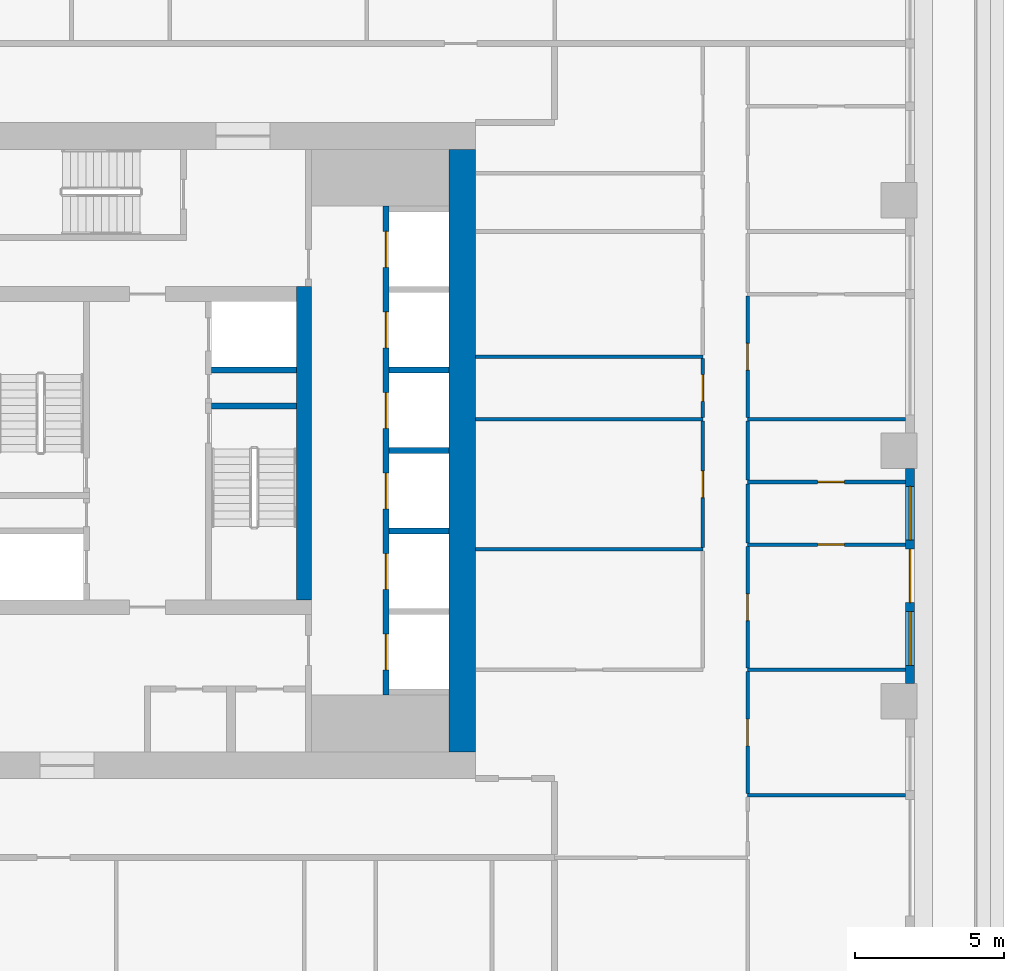
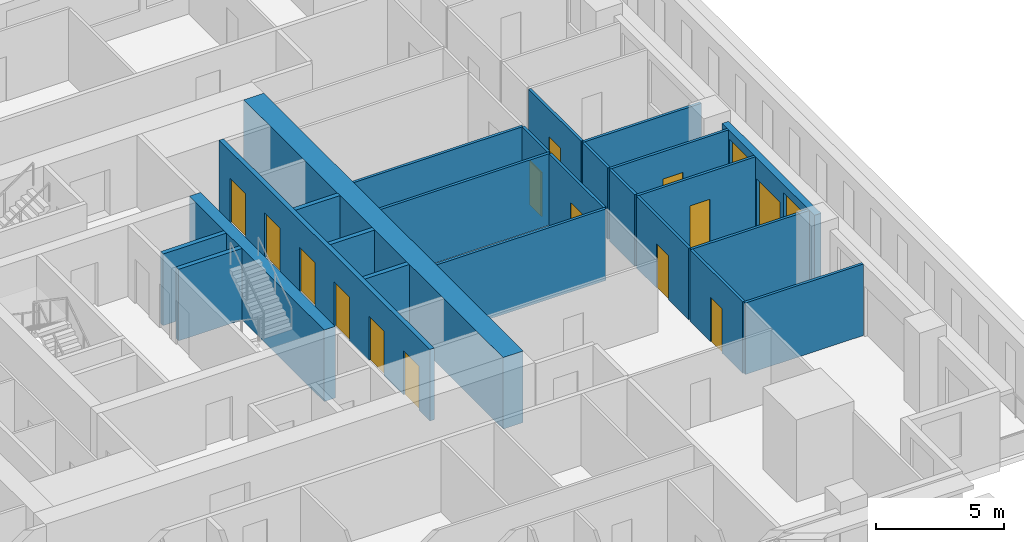
# One storey, part 6 of 16: 24 walls, 14 doors, 2 windows, 16 openings.
"""IFC4 building model written with IfcOpenShell, lengths in metres."""

import ifcopenshell
import ifcopenshell.guid

model = None  # the IFC model being written
_history = None  # IfcOwnerHistory: only IFC2X3 demands one
_inside = {}  # id of a spatial element -> (the spatial element, [elements in it])
_under = {}  # id of a project, library or spatial element -> (it, [spatial elements below it])
_declared = {}  # id of a project -> (the project, [libraries it declares])
_typed = {}  # id of a type object -> (the type object, [elements of that type])
_made_of = {}  # id of a material, layer set ... -> (it, [elements and type objects made of it])


def new_model(schema):
    """Start an empty IFC model of exactly this schema.

    Asked for "IFC4X3", IfcOpenShell would pick the latest addendum, in which some entities
    have other attributes; the version numbers below select the first issue.
    IFC2X3 requires an IfcOwnerHistory on every rooted entity: one is made here for all.
    """
    global model, _history
    if schema == "IFC4X3":
        model = ifcopenshell.file(schema_version=(4, 3, 0, 0))
    else:
        model = ifcopenshell.file(schema=schema)
    _inside.clear()
    _under.clear()
    _declared.clear()
    _typed.clear()
    _made_of.clear()
    _history = None
    if model.schema == "IFC2X3":
        org = make("IfcOrganization", Name="unknown")
        user = make(
            "IfcPersonAndOrganization",
            ThePerson=make("IfcPerson", FamilyName="unknown"),
            TheOrganization=org,
        )
        app = make(
            "IfcApplication",
            ApplicationDeveloper=org,
            Version="unknown",
            ApplicationFullName="unknown",
            ApplicationIdentifier="unknown",
        )
        _history = make(
            "IfcOwnerHistory",
            OwningUser=user,
            OwningApplication=app,
            ChangeAction="ADDED",
            CreationDate=0,
        )
    return model


def make(cls, **values):
    """One entity of the class cls with the attributes given. An attribute that is None is left unset."""
    return model.create_entity(
        cls, **{name: value for name, value in values.items() if value is not None}
    )


def rooted(cls, **values):
    """An entity with a GlobalId (a new one), such as an element, a storey or a relation."""
    return make(cls, GlobalId=ifcopenshell.guid.new(), OwnerHistory=_history, **values)


def si_unit(unit_type, name, prefix=None):
    """IfcSIUnit, for example si_unit("LENGTHUNIT", "METRE", prefix="MILLI")."""
    return make("IfcSIUnit", UnitType=unit_type, Prefix=prefix, Name=name)


def assignment(units):
    """IfcUnitAssignment: the units of a project."""
    return None if units is None else make("IfcUnitAssignment", Units=units)


def point(xyz):
    """IfcCartesianPoint."""
    return None if xyz is None else make("IfcCartesianPoint", Coordinates=xyz)


def direction(xyz):
    """IfcDirection."""
    return None if xyz is None else make("IfcDirection", DirectionRatios=xyz)


def frame(location, z_axis=None, x_axis=None):
    """IfcAxis2Placement3D, a coordinate frame: its origin and axes. An axis left out is left unset."""
    return make(
        "IfcAxis2Placement3D",
        Location=point(location),
        Axis=direction(z_axis),
        RefDirection=direction(x_axis),
    )


def frame_2d(location, x_axis=None):
    """IfcAxis2Placement2D, a coordinate frame in the plane: its origin and x axis."""
    return make(
        "IfcAxis2Placement2D", Location=point(location), RefDirection=direction(x_axis)
    )


def origin():
    """The frame at (0, 0, 0) with its axes left unset."""
    return frame((0.0, 0.0, 0.0))


def place(relative_to, where):
    """IfcLocalPlacement: puts the frame where relative to a parent placement (None: the world)."""
    return make(
        "IfcLocalPlacement", PlacementRelTo=relative_to, RelativePlacement=where
    )


def context(
    kind, dimensions, precision=None, world=None, true_north=None, identifier=None
):
    """IfcGeometricRepresentationContext, for example the 3D "Model" context."""
    return make(
        "IfcGeometricRepresentationContext",
        ContextIdentifier=identifier,
        ContextType=kind,
        CoordinateSpaceDimension=dimensions,
        Precision=precision,
        WorldCoordinateSystem=world,
        TrueNorth=true_north,
    )


def subcontext(parent, identifier, kind, view, scale=None):
    """IfcGeometricRepresentationSubContext, for example "Body" below "Model"."""
    return make(
        "IfcGeometricRepresentationSubContext",
        ContextIdentifier=identifier,
        ContextType=kind,
        ParentContext=parent,
        TargetScale=scale,
        TargetView=view,
    )


def project(units=None, contexts=None):
    """IfcProject with its units and contexts."""
    return rooted(
        "IfcProject",
        Name="project",
        RepresentationContexts=contexts,
        UnitsInContext=assignment(units),
    )


def spatial(cls, under=None, at=None, **own):
    """A site, building, storey or space (cls), placed at a placement, below another one or the project."""
    s = rooted(cls, ObjectPlacement=at, **own)
    if under is not None:
        _under.setdefault(under.id(), (under, []))[1].append(s)
    return s


def profile(cls, at=None, kind="AREA", **sizes):
    """A parametric profile (cls). Its sizes go by their IFC names, for example OverallWidth=200.0."""
    return make(cls, ProfileType=kind, Position=at, **sizes)


def rectangle(**sizes):
    """IfcRectangleProfileDef."""
    return profile("IfcRectangleProfileDef", **sizes)


def extrude(swept, where, along, depth):
    """IfcExtrudedAreaSolid: the profile swept, set in the frame where, extruded along a direction by depth."""
    return make(
        "IfcExtrudedAreaSolid",
        SweptArea=swept,
        Position=where,
        ExtrudedDirection=direction(along),
        Depth=depth,
    )


def shape(context_of_items, identifier, shape_type, items):
    """IfcShapeRepresentation: the items that make up one representation, for example the "Body"."""
    return make(
        "IfcShapeRepresentation",
        ContextOfItems=context_of_items,
        RepresentationIdentifier=identifier,
        RepresentationType=shape_type,
        Items=items,
    )


def material(Name=None, Category=None):
    """IfcMaterial."""
    return make("IfcMaterial", Name=Name, Category=Category)


def layer(
    of_material, thickness, ventilated=None, Name=None, Category=None, Priority=None
):
    """IfcMaterialLayer: one layer of a wall or slab, of a material (None: an air gap)."""
    return make(
        "IfcMaterialLayer",
        Material=of_material,
        LayerThickness=thickness,
        IsVentilated=ventilated,
        Name=Name,
        Category=Category,
        Priority=Priority,
    )


def layer_set(layers, Name=None):
    """IfcMaterialLayerSet."""
    return make("IfcMaterialLayerSet", MaterialLayers=layers, LayerSetName=Name)


def made_of(thing, what):
    """Note that an element or type object is made of a material, layer set ...; save() writes the relation."""
    if what is not None:
        _made_of.setdefault(what.id(), (what, []))[1].append(thing)
    return thing


def type_object(cls, material=None, **own):
    """A type object (cls), such as IfcWallType, which elements share."""
    return made_of(rooted(cls, **own), material)


def element(
    cls,
    number,
    at=None,
    inside=None,
    cuts=None,
    type_object=None,
    material=None,
    context=None,
    identifier="Body",
    shape_type=None,
    held_by="IfcProductDefinitionShape",
    body=None,
    shapes=None,
    **own,
):
    """One element of the class cls, such as IfcWall. Its Tag is "e" and its number.

    at: its placement. inside: the storey or other place that contains it. cuts: it is an
    opening in that element (IfcRelVoidsElement). A single representation is given by context,
    identifier, shape_type and body (its items); several are given by shapes. held_by: the class
    of the entity that holds the representations. save() writes the other relations.
    """
    e = rooted(cls, Tag="e%d" % number, ObjectPlacement=at, **own)
    if body is not None:
        shapes = [shape(context, identifier, shape_type, body)]
    if shapes is not None:
        e.Representation = make(held_by, Representations=shapes)
    if inside is not None:
        _inside.setdefault(inside.id(), (inside, []))[1].append(e)
    if cuts is not None:
        rooted(
            "IfcRelVoidsElement", RelatingBuildingElement=cuts, RelatedOpeningElement=e
        )
    if type_object is not None:
        _typed.setdefault(type_object.id(), (type_object, []))[1].append(e)
    return made_of(e, material)


def fill(opening, filler):
    """IfcRelFillsElement: the door or window that sits in an opening."""
    return rooted(
        "IfcRelFillsElement",
        RelatingOpeningElement=opening,
        RelatedBuildingElement=filler,
    )


def aggregate(whole, parts):
    """IfcRelAggregates: a whole, such as a stair, and the parts it consists of."""
    return rooted("IfcRelAggregates", RelatingObject=whole, RelatedObjects=parts)


def save(model, path):
    """Write the relations noted so far, then the file.

    IfcRelAggregates (storeys below a building ...), IfcRelContainedInSpatialStructure (elements
    in a storey), IfcRelDefinesByType, IfcRelAssociatesMaterial and IfcRelDeclares: one each for
    every whole, place, type object, material and project.
    """
    for whole, parts in _under.values():
        aggregate(whole, parts)
    for where, things in _inside.values():
        rooted(
            "IfcRelContainedInSpatialStructure",
            RelatedElements=things,
            RelatingStructure=where,
        )
    for kind, things in _typed.values():
        rooted("IfcRelDefinesByType", RelatedObjects=things, RelatingType=kind)
    for what, things in _made_of.values():
        rooted("IfcRelAssociatesMaterial", RelatedObjects=things, RelatingMaterial=what)
    for by, libraries in _declared.values():
        rooted("IfcRelDeclares", RelatingContext=by, RelatedDefinitions=libraries)
    model.write(path)


model = new_model("IFC4")

# Units and contexts
model_context = context("Model", 3, precision=1e-05, world=origin(), true_north=direction((0.0, 1.0)))
body_context = subcontext(model_context, "Body", "Model", "MODEL_VIEW")
ifc_project = project(units=[si_unit("LENGTHUNIT", "METRE"), si_unit("AREAUNIT", "SQUARE_METRE"), si_unit("VOLUMEUNIT", "CUBIC_METRE"), si_unit("PLANEANGLEUNIT", "RADIAN"), si_unit("MASSUNIT", "GRAM", prefix="KILO")], contexts=[model_context])

# Site, building, storey
site_placement = place(None, origin())
site = spatial("IfcSite", under=ifc_project, at=site_placement, CompositionType="ELEMENT")
building_placement = place(site_placement, origin())
building = spatial("IfcBuilding", under=site, at=building_placement, Name="Khepri Terraces", CompositionType="ELEMENT")
storey_placement = place(building_placement, frame((0.0, 0.0, 176.699951171875)))
storey = spatial("IfcBuildingStorey", under=building, at=storey_placement, Name="L42", CompositionType="ELEMENT", Elevation=176.699951171875)

# Wall
ifc_material_1 = material(Name="Concrete C60/75", Category="concrete")
ifc_layer_1 = layer(ifc_material_1, 0.199951171875, Name="Concrete C60/75", Category="concrete")
ifc_layer_set_1 = layer_set([ifc_layer_1], Name="Concrete C60/75")
wall_type_1 = type_object("IfcWallType", Name="Core wall 200 C60/75", PredefinedType="SHEAR", material=ifc_layer_set_1)
wall_1_placement = place(storey_placement, frame((2.14990234375, 1.5, 0.0), z_axis=(0.0, 0.0, 1.0), x_axis=(1.0, 0.0, 0.0)))
element("IfcWall", 1, at=wall_1_placement, inside=storey, type_object=wall_type_1, Name="Core wall ST04 L42", PredefinedType="SHEAR", context=body_context, shape_type="SweptSolid", body=[
    extrude(rectangle(XDim=2.85009765625, YDim=0.199951171875, at=frame_2d((1.425048828125, 0.0))), origin(), (0.0, 0.0, 1.0), 3.400146484375),
])

# Wall, openings, doors
wall_2_placement = place(storey_placement, frame((8.0, -8.199951171875, 0.0), z_axis=(0.0, 0.0, 1.0), x_axis=(0.0, 1.0, 0.0)))
wall_2 = element("IfcWall", 2, at=wall_2_placement, inside=storey, type_object=wall_type_1, Name="Core wall SH02 L42", PredefinedType="SHEAR", context=body_context, shape_type="SweptSolid", body=[
    extrude(rectangle(XDim=16.39990234375, YDim=0.199951171875, at=frame_2d((8.199951171875, 0.0))), origin(), (0.0, 0.0, 1.0), 3.400146484375),
])
opening_1_placement = place(wall_2_placement, frame((0.85009765625, 0.0, 0.0)))
opening_1 = element("IfcOpeningElement", 3, at=opening_1_placement, cuts=wall_2, Name="Opening L42-C01", PredefinedType="OPENING", context=body_context, shape_type="SweptSolid", body=[
    extrude(rectangle(XDim=1.199951171875, YDim=2.10009765625, at=frame_2d((0.60009765625, 1.050048828125))), frame((0.0, 0.10986328125, 0.0), z_axis=(0.0, -1.0, 0.0), x_axis=(1.0, 0.0, 0.0)), (0.0, 0.0, 1.0), 0.219970703125),
])
opening_2_placement = place(wall_2_placement, frame((3.550048828125, 0.0, 0.0)))
opening_2 = element("IfcOpeningElement", 4, at=opening_2_placement, cuts=wall_2, Name="Opening L42-C02", PredefinedType="OPENING", context=body_context, shape_type="SweptSolid", body=[
    extrude(rectangle(XDim=1.199951171875, YDim=2.10009765625, at=frame_2d((0.60009765625, 1.050048828125))), frame((0.0, 0.10986328125, 0.0), z_axis=(0.0, -1.0, 0.0), x_axis=(1.0, 0.0, 0.0)), (0.0, 0.0, 1.0), 0.219970703125),
])
opening_3_placement = place(wall_2_placement, frame((6.25, 0.0, 0.0)))
opening_3 = element("IfcOpeningElement", 5, at=opening_3_placement, cuts=wall_2, Name="Opening L42-C03", PredefinedType="OPENING", context=body_context, shape_type="SweptSolid", body=[
    extrude(rectangle(XDim=1.199951171875, YDim=2.10009765625, at=frame_2d((0.60009765625, 1.050048828125))), frame((0.0, 0.10986328125, 0.0), z_axis=(0.0, -1.0, 0.0), x_axis=(1.0, 0.0, 0.0)), (0.0, 0.0, 1.0), 0.219970703125),
])
opening_4_placement = place(wall_2_placement, frame((8.949951171875, 0.0, 0.0)))
opening_4 = element("IfcOpeningElement", 6, at=opening_4_placement, cuts=wall_2, Name="Opening L42-C04", PredefinedType="OPENING", context=body_context, shape_type="SweptSolid", body=[
    extrude(rectangle(XDim=1.199951171875, YDim=2.10009765625, at=frame_2d((0.60009765625, 1.050048828125))), frame((0.0, 0.10986328125, 0.0), z_axis=(0.0, -1.0, 0.0), x_axis=(1.0, 0.0, 0.0)), (0.0, 0.0, 1.0), 0.219970703125),
])
opening_5_placement = place(wall_2_placement, frame((11.64990234375, 0.0, 0.0)))
opening_5 = element("IfcOpeningElement", 7, at=opening_5_placement, cuts=wall_2, Name="Opening L42-C05", PredefinedType="OPENING", context=body_context, shape_type="SweptSolid", body=[
    extrude(rectangle(XDim=1.199951171875, YDim=2.10009765625, at=frame_2d((0.60009765625, 1.050048828125))), frame((0.0, 0.10986328125, 0.0), z_axis=(0.0, -1.0, 0.0), x_axis=(1.0, 0.0, 0.0)), (0.0, 0.0, 1.0), 0.219970703125),
])
opening_6_placement = place(wall_2_placement, frame((14.35009765625, 0.0, 0.0)))
opening_6 = element("IfcOpeningElement", 8, at=opening_6_placement, cuts=wall_2, Name="Opening L42-C06", PredefinedType="OPENING", context=body_context, shape_type="SweptSolid", body=[
    extrude(rectangle(XDim=1.199951171875, YDim=2.10009765625, at=frame_2d((0.60009765625, 1.050048828125))), frame((0.0, 0.10986328125, 0.0), z_axis=(0.0, -1.0, 0.0), x_axis=(1.0, 0.0, 0.0)), (0.0, 0.0, 1.0), 0.219970703125),
])
ifc_material_2 = material(Name="Stainless steel 304", Category="steel")
door_type_1 = type_object("IfcDoorType", Name="DR-CORE-LANDING-1200", OperationType="NOTDEFINED", PredefinedType="DOOR", material=ifc_material_2)
door_1_placement = place(opening_1_placement, origin())
door_1 = element("IfcDoor", 9, at=door_1_placement, inside=storey, type_object=door_type_1, Name="Lift landing door L42-C01", OperationType="SLIDING_TO_LEFT", OverallHeight=2.10009765625, OverallWidth=1.199951171875, PredefinedType="DOOR", context=body_context, shape_type="SweptSolid", body=[
    extrude(rectangle(XDim=1.199951171875, YDim=2.10009765625, at=frame_2d((0.60009765625, 1.050048828125))), frame((0.0, 0.02490234375, 0.0), z_axis=(0.0, -1.0, 0.0), x_axis=(1.0, 0.0, 0.0)), (0.0, 0.0, 1.0), 0.050048828125),
])
fill(opening_1, door_1)
door_2_placement = place(opening_2_placement, origin())
door_2 = element("IfcDoor", 10, at=door_2_placement, inside=storey, type_object=door_type_1, Name="Lift landing door L42-C02", OperationType="SLIDING_TO_LEFT", OverallHeight=2.10009765625, OverallWidth=1.199951171875, PredefinedType="DOOR", context=body_context, shape_type="SweptSolid", body=[
    extrude(rectangle(XDim=1.199951171875, YDim=2.10009765625, at=frame_2d((0.60009765625, 1.050048828125))), frame((0.0, 0.02490234375, 0.0), z_axis=(0.0, -1.0, 0.0), x_axis=(1.0, 0.0, 0.0)), (0.0, 0.0, 1.0), 0.050048828125),
])
fill(opening_2, door_2)
door_3_placement = place(opening_3_placement, origin())
door_3 = element("IfcDoor", 11, at=door_3_placement, inside=storey, type_object=door_type_1, Name="Lift landing door L42-C03", OperationType="SLIDING_TO_LEFT", OverallHeight=2.10009765625, OverallWidth=1.199951171875, PredefinedType="DOOR", context=body_context, shape_type="SweptSolid", body=[
    extrude(rectangle(XDim=1.199951171875, YDim=2.10009765625, at=frame_2d((0.60009765625, 1.050048828125))), frame((0.0, 0.02490234375, 0.0), z_axis=(0.0, -1.0, 0.0), x_axis=(1.0, 0.0, 0.0)), (0.0, 0.0, 1.0), 0.050048828125),
])
fill(opening_3, door_3)
door_4_placement = place(opening_4_placement, origin())
door_4 = element("IfcDoor", 12, at=door_4_placement, inside=storey, type_object=door_type_1, Name="Lift landing door L42-C04", OperationType="SLIDING_TO_LEFT", OverallHeight=2.10009765625, OverallWidth=1.199951171875, PredefinedType="DOOR", context=body_context, shape_type="SweptSolid", body=[
    extrude(rectangle(XDim=1.199951171875, YDim=2.10009765625, at=frame_2d((0.60009765625, 1.050048828125))), frame((0.0, 0.02490234375, 0.0), z_axis=(0.0, -1.0, 0.0), x_axis=(1.0, 0.0, 0.0)), (0.0, 0.0, 1.0), 0.050048828125),
])
fill(opening_4, door_4)
door_5_placement = place(opening_5_placement, origin())
door_5 = element("IfcDoor", 13, at=door_5_placement, inside=storey, type_object=door_type_1, Name="Lift landing door L42-C05", OperationType="SLIDING_TO_LEFT", OverallHeight=2.10009765625, OverallWidth=1.199951171875, PredefinedType="DOOR", context=body_context, shape_type="SweptSolid", body=[
    extrude(rectangle(XDim=1.199951171875, YDim=2.10009765625, at=frame_2d((0.60009765625, 1.050048828125))), frame((0.0, 0.02490234375, 0.0), z_axis=(0.0, -1.0, 0.0), x_axis=(1.0, 0.0, 0.0)), (0.0, 0.0, 1.0), 0.050048828125),
])
fill(opening_5, door_5)
door_6_placement = place(opening_6_placement, origin())
door_6 = element("IfcDoor", 14, at=door_6_placement, inside=storey, type_object=door_type_1, Name="Lift landing door L42-C06", OperationType="SLIDING_TO_LEFT", OverallHeight=2.10009765625, OverallWidth=1.199951171875, PredefinedType="DOOR", context=body_context, shape_type="SweptSolid", body=[
    extrude(rectangle(XDim=1.199951171875, YDim=2.10009765625, at=frame_2d((0.60009765625, 1.050048828125))), frame((0.0, 0.02490234375, 0.0), z_axis=(0.0, -1.0, 0.0), x_axis=(1.0, 0.0, 0.0)), (0.0, 0.0, 1.0), 0.050048828125),
])
fill(opening_6, door_6)

# Walls
for number, where, z_axis, x_axis, name in (
    (15, (8.10009765625, -2.699951171875, 0.0), (0.0, 0.0, 1.0), (1.0, 0.0, 0.0), "Core wall SH08 L42"),
    (16, (8.10009765625, 0.0, 0.0), (0.0, 0.0, 1.0), (1.0, 0.0, 0.0), "Core wall SH09 L42"),
):
    element("IfcWall", number, at=place(storey_placement, frame(where, z_axis=z_axis, x_axis=x_axis)), inside=storey, type_object=wall_type_1, Name=name, PredefinedType="SHEAR", context=body_context, shape_type="SweptSolid", body=[
        extrude(rectangle(XDim=2.0, YDim=0.199951171875, at=frame_2d((1.0, 0.0))), origin(), (0.0, 0.0, 1.0), 3.400146484375),
    ])
wall_3_placement = place(storey_placement, frame((2.14990234375, 2.699951171875, 0.0), z_axis=(0.0, 0.0, 1.0), x_axis=(1.0, 0.0, 0.0)))
element("IfcWall", 17, at=wall_3_placement, inside=storey, type_object=wall_type_1, Name="Core wall SH12 L42", PredefinedType="SHEAR", context=body_context, shape_type="SweptSolid", body=[
    extrude(rectangle(XDim=2.85009765625, YDim=0.199951171875, at=frame_2d((1.425048828125, 0.0))), origin(), (0.0, 0.0, 1.0), 3.400146484375),
])
wall_4_placement = place(storey_placement, frame((8.10009765625, 2.699951171875, 0.0), z_axis=(0.0, 0.0, 1.0), x_axis=(1.0, 0.0, 0.0)))
element("IfcWall", 18, at=wall_4_placement, inside=storey, type_object=wall_type_1, Name="Core wall SH13 L42", PredefinedType="SHEAR", context=body_context, shape_type="SweptSolid", body=[
    extrude(rectangle(XDim=2.0, YDim=0.199951171875, at=frame_2d((1.0, 0.0))), origin(), (0.0, 0.0, 1.0), 3.400146484375),
])
ifc_layer_2 = layer(ifc_material_1, 0.5, Name="Concrete C60/75", Category="concrete")
ifc_layer_set_2 = layer_set([ifc_layer_2], Name="Concrete C60/75")
wall_type_2 = type_object("IfcWallType", Name="Core wall 500 C60/75", PredefinedType="SHEAR", material=ifc_layer_set_2)
wall_5_placement = place(storey_placement, frame((5.25, -5.0, 0.0), z_axis=(0.0, 0.0, 1.0), x_axis=(0.0, 1.0, 0.0)))
element("IfcWall", 19, at=wall_5_placement, inside=storey, type_object=wall_type_2, Name="Core wall BX03 L42", PredefinedType="SHEAR", context=body_context, shape_type="SweptSolid", body=[
    extrude(rectangle(XDim=10.5, YDim=0.5, at=frame_2d((5.25, 0.0))), origin(), (0.0, 0.0, 1.0), 3.400146484375),
])
ifc_layer_3 = layer(ifc_material_1, 0.89990234375, Name="Concrete C60/75", Category="concrete")
ifc_layer_set_3 = layer_set([ifc_layer_3], Name="Concrete C60/75")
wall_type_3 = type_object("IfcWallType", Name="Core wall 900 C60/75", PredefinedType="SHEAR", material=ifc_layer_set_3)
wall_6_placement = place(storey_placement, frame((10.550048828125, -10.10009765625, 0.0), z_axis=(0.0, 0.0, 1.0), x_axis=(0.0, 1.0, 0.0)))
element("IfcWall", 20, at=wall_6_placement, inside=storey, type_object=wall_type_3, Name="Core wall OW-E L42", PredefinedType="SHEAR", context=body_context, shape_type="SweptSolid", body=[
    extrude(rectangle(XDim=20.2001953125, YDim=0.89990234375, at=frame_2d((10.10009765625, 0.0))), origin(), (0.0, 0.0, 1.0), 3.400146484375),
])

# Wall, openings, door, windows
ifc_material_3 = material(Name="Precast concrete C50/60 warm stone", Category="masonry")
ifc_layer_4 = layer(ifc_material_3, 0.300048828125, Name="Precast concrete C50/60 warm stone", Category="masonry")
ifc_layer_set_4 = layer_set([ifc_layer_4], Name="Precast concrete C50/60 warm stone")
wall_type_4 = type_object("IfcWallType", Name="WL-EXT-PRECAST-300", PredefinedType="STANDARD", material=ifc_layer_set_4)
wall_7_placement = place(storey_placement, frame((25.570068359375, -7.800048828125, 0.0), z_axis=(0.0, 0.0, 1.0), x_axis=(0.0, 1.0, 0.0)))
wall_7 = element("IfcWall", 21, at=wall_7_placement, inside=storey, type_object=wall_type_4, Name="External wall L42 E", PredefinedType="STANDARD", context=body_context, shape_type="SweptSolid", body=[
    extrude(rectangle(XDim=7.199951171875, YDim=0.300048828125, at=frame_2d((3.60009765625, 0.0))), origin(), (0.0, 0.0, 1.0), 3.400146484375),
])
opening_7_placement = place(wall_7_placement, frame((0.60009765625, 0.0, 0.89990234375)))
opening_7 = element("IfcOpeningElement", 22, at=opening_7_placement, cuts=wall_7, Name="Opening W1", PredefinedType="OPENING", context=body_context, shape_type="SweptSolid", body=[
    extrude(rectangle(XDim=1.800048828125, YDim=2.10009765625, at=frame_2d((0.89990234375, 1.050048828125))), frame((0.0, 0.16015625, 0.0), z_axis=(0.0, -1.0, 0.0), x_axis=(1.0, 0.0, 0.0)), (0.0, 0.0, 1.0), 0.320068359375),
])
opening_8_placement = place(wall_7_placement, frame((2.699951171875, 0.0, 0.0)))
opening_8 = element("IfcOpeningElement", 23, at=opening_8_placement, cuts=wall_7, Name="Opening ED-L42-03", PredefinedType="OPENING", context=body_context, shape_type="SweptSolid", body=[
    extrude(rectangle(XDim=1.800048828125, YDim=2.39990234375, at=frame_2d((0.89990234375, 1.199951171875))), frame((0.0, 0.16015625, 0.0), z_axis=(0.0, -1.0, 0.0), x_axis=(1.0, 0.0, 0.0)), (0.0, 0.0, 1.0), 0.320068359375),
])
opening_9_placement = place(wall_7_placement, frame((4.800048828125, 0.0, 0.89990234375)))
opening_9 = element("IfcOpeningElement", 24, at=opening_9_placement, cuts=wall_7, Name="Opening W1", PredefinedType="OPENING", context=body_context, shape_type="SweptSolid", body=[
    extrude(rectangle(XDim=1.800048828125, YDim=2.10009765625, at=frame_2d((0.89990234375, 1.050048828125))), frame((0.0, 0.16015625, 0.0), z_axis=(0.0, -1.0, 0.0), x_axis=(1.0, 0.0, 0.0)), (0.0, 0.0, 1.0), 0.320068359375),
])
ifc_material_4 = material(Name="Anodised aluminium bronze glazed door", Category="aluminium")
door_type_2 = type_object("IfcDoorType", Name="DR-BAL-SLIDE-1800x2400", OperationType="NOTDEFINED", PredefinedType="DOOR", material=ifc_material_4)
door_7_placement = place(opening_8_placement, origin())
door_7 = element("IfcDoor", 25, at=door_7_placement, inside=storey, type_object=door_type_2, Name="Balcony door L42 E", OperationType="SLIDING_TO_LEFT", OverallHeight=2.39990234375, OverallWidth=1.800048828125, PredefinedType="DOOR", context=body_context, shape_type="SweptSolid", body=[
    extrude(rectangle(XDim=1.800048828125, YDim=2.39990234375, at=frame_2d((0.89990234375, 1.199951171875))), frame((0.0, 0.02490234375, 0.0), z_axis=(0.0, -1.0, 0.0), x_axis=(1.0, 0.0, 0.0)), (0.0, 0.0, 1.0), 0.050048828125),
])
fill(opening_8, door_7)
ifc_material_5 = material(Name="Clear glass", Category="glass")
window_type = type_object("IfcWindowType", Name="WIN-RES-1800x2100", PartitioningType="SINGLE_PANEL", PredefinedType="WINDOW", material=ifc_material_5)
window_1_placement = place(opening_7_placement, origin())
window_1 = element("IfcWindow", 26, at=window_1_placement, inside=storey, type_object=window_type, Name="Window L42 E", OverallHeight=2.10009765625, OverallWidth=1.800048828125, PartitioningType="SINGLE_PANEL", PredefinedType="WINDOW", context=body_context, shape_type="SweptSolid", body=[
    extrude(rectangle(XDim=1.800048828125, YDim=2.10009765625, at=frame_2d((0.89990234375, 1.050048828125))), frame((0.0, 0.030029296875, 0.0), z_axis=(0.0, -1.0, 0.0), x_axis=(1.0, 0.0, 0.0)), (0.0, 0.0, 1.0), 0.06005859375),
])
fill(opening_7, window_1)
window_2_placement = place(opening_9_placement, origin())
window_2 = element("IfcWindow", 27, at=window_2_placement, inside=storey, type_object=window_type, Name="Window L42 E", OverallHeight=2.10009765625, OverallWidth=1.800048828125, PartitioningType="SINGLE_PANEL", PredefinedType="WINDOW", context=body_context, shape_type="SweptSolid", body=[
    extrude(rectangle(XDim=1.800048828125, YDim=2.10009765625, at=frame_2d((0.89990234375, 1.050048828125))), frame((0.0, 0.030029296875, 0.0), z_axis=(0.0, -1.0, 0.0), x_axis=(1.0, 0.0, 0.0)), (0.0, 0.0, 1.0), 0.06005859375),
])
fill(opening_9, window_2)

# Wall
ifc_material_6 = material(Name="Gypsum plasterboard partition")
ifc_layer_5 = layer(ifc_material_6, 0.1201171875, Name="Gypsum plasterboard partition")
ifc_layer_set_5 = layer_set([ifc_layer_5], Name="Gypsum plasterboard partition")
wall_type_5 = type_object("IfcWallType", Name="WL-PART-120", PredefinedType="PARTITIONING", material=ifc_layer_set_5)
wall_8_placement = place(storey_placement, frame((20.1201171875, -11.550048828125, 0.0), z_axis=(0.0, 0.0, 1.0), x_axis=(1.0, 0.0, 0.0)))
element("IfcWall", 28, at=wall_8_placement, inside=storey, type_object=wall_type_5, Name="Partition P-031 L42", PredefinedType="PARTITIONING", context=body_context, shape_type="SweptSolid", body=[
    extrude(rectangle(XDim=5.2998046875, YDim=0.1201171875, at=frame_2d((2.64990234375, 0.0))), origin(), (0.0, 0.0, 1.0), 3.400146484375),
])

# Wall, opening, door
wall_9_placement = place(storey_placement, frame((20.1201171875, -11.489990234375, 0.0), z_axis=(0.0, 0.0, 1.0), x_axis=(0.0, 1.0, 0.0)))
wall_9 = element("IfcWall", 29, at=wall_9_placement, inside=storey, type_object=wall_type_5, Name="Partition P-033 L42", PredefinedType="PARTITIONING", context=body_context, shape_type="SweptSolid", body=[
    extrude(rectangle(XDim=4.080078125, YDim=0.1201171875, at=frame_2d((2.0400390625, 0.0))), origin(), (0.0, 0.0, 1.0), 3.400146484375),
])
opening_10_placement = place(wall_9_placement, frame((1.590087890625, 0.0, 0.0)))
opening_10 = element("IfcOpeningElement", 30, at=opening_10_placement, cuts=wall_9, Name="Opening D3", PredefinedType="OPENING", context=body_context, shape_type="SweptSolid", body=[
    extrude(rectangle(XDim=0.89990234375, YDim=2.10009765625, at=frame_2d((0.449951171875, 1.050048828125))), frame((0.0, 0.070068359375, 0.0), z_axis=(0.0, -1.0, 0.0), x_axis=(1.0, 0.0, 0.0)), (0.0, 0.0, 1.0), 0.14013671875),
])
ifc_material_7 = material(Name="Timber door leaf", Category="wood")
door_type_3 = type_object("IfcDoorType", Name="DR-INT-900", OperationType="NOTDEFINED", PredefinedType="DOOR", material=ifc_material_7)
door_8_placement = place(opening_10_placement, frame((0.89990234375, 0.0, 0.0), z_axis=(0.0, 0.0, 1.0), x_axis=(-1.0, 0.0, 0.0)))
door_8 = element("IfcDoor", 31, at=door_8_placement, inside=storey, type_object=door_type_3, Name="Door Study", OperationType="SINGLE_SWING_LEFT", OverallHeight=2.10009765625, OverallWidth=0.89990234375, PredefinedType="DOOR", context=body_context, shape_type="SweptSolid", body=[
    extrude(rectangle(XDim=0.89990234375, YDim=2.10009765625, at=frame_2d((0.449951171875, 1.050048828125))), frame((0.0, 0.02490234375, 0.0), z_axis=(0.0, -1.0, 0.0), x_axis=(1.0, 0.0, 0.0)), (0.0, 0.0, 1.0), 0.050048828125),
])
fill(opening_10, door_8)

# Wall
wall_10_placement = place(storey_placement, frame((20.1201171875, -7.35009765625, 0.0), z_axis=(0.0, 0.0, 1.0), x_axis=(1.0, 0.0, 0.0)))
element("IfcWall", 32, at=wall_10_placement, inside=storey, type_object=wall_type_5, Name="Partition P-041 L42", PredefinedType="PARTITIONING", context=body_context, shape_type="SweptSolid", body=[
    extrude(rectangle(XDim=5.2998046875, YDim=0.1201171875, at=frame_2d((2.64990234375, 0.0))), origin(), (0.0, 0.0, 1.0), 3.400146484375),
])

# Wall, opening, door
wall_11_placement = place(storey_placement, frame((20.1201171875, -7.2900390625, 0.0), z_axis=(0.0, 0.0, 1.0), x_axis=(0.0, 1.0, 0.0)))
wall_11 = element("IfcWall", 33, at=wall_11_placement, inside=storey, type_object=wall_type_5, Name="Partition P-045 L42", PredefinedType="PARTITIONING", context=body_context, shape_type="SweptSolid", body=[
    extrude(rectangle(XDim=4.080078125, YDim=0.1201171875, at=frame_2d((2.0400390625, 0.0))), origin(), (0.0, 0.0, 1.0), 3.400146484375),
])
opening_11_placement = place(wall_11_placement, frame((1.590087890625, 0.0, 0.0)))
opening_11 = element("IfcOpeningElement", 34, at=opening_11_placement, cuts=wall_11, Name="Opening D3", PredefinedType="OPENING", context=body_context, shape_type="SweptSolid", body=[
    extrude(rectangle(XDim=0.89990234375, YDim=2.10009765625, at=frame_2d((0.449951171875, 1.050048828125))), frame((0.0, 0.070068359375, 0.0), z_axis=(0.0, -1.0, 0.0), x_axis=(1.0, 0.0, 0.0)), (0.0, 0.0, 1.0), 0.14013671875),
])
door_9_placement = place(opening_11_placement, frame((0.89990234375, 0.0, 0.0), z_axis=(0.0, 0.0, 1.0), x_axis=(-1.0, 0.0, 0.0)))
door_9 = element("IfcDoor", 35, at=door_9_placement, inside=storey, type_object=door_type_3, Name="Door Master Bedroom", OperationType="SINGLE_SWING_LEFT", OverallHeight=2.10009765625, OverallWidth=0.89990234375, PredefinedType="DOOR", context=body_context, shape_type="SweptSolid", body=[
    extrude(rectangle(XDim=0.89990234375, YDim=2.10009765625, at=frame_2d((0.449951171875, 1.050048828125))), frame((0.0, 0.02490234375, 0.0), z_axis=(0.0, -1.0, 0.0), x_axis=(1.0, 0.0, 0.0)), (0.0, 0.0, 1.0), 0.050048828125),
])
fill(opening_11, door_9)

# Wall
wall_12_placement = place(storey_placement, frame((11.0, -3.300048828125, 0.0), z_axis=(0.0, 0.0, 1.0), x_axis=(1.0, 0.0, 0.0)))
element("IfcWall", 36, at=wall_12_placement, inside=storey, type_object=wall_type_5, Name="Partition P-048 L42", PredefinedType="PARTITIONING", context=body_context, shape_type="SweptSolid", body=[
    extrude(rectangle(XDim=7.6201171875, YDim=0.1201171875, at=frame_2d((3.81005859375, 0.0))), origin(), (0.0, 0.0, 1.0), 3.400146484375),
])

# Wall, opening, door
wall_13_placement = place(storey_placement, frame((18.6201171875, -3.239990234375, 0.0), z_axis=(0.0, 0.0, 1.0), x_axis=(0.0, 1.0, 0.0)))
wall_13 = element("IfcWall", 37, at=wall_13_placement, inside=storey, type_object=wall_type_5, Name="Partition P-049 L42", PredefinedType="PARTITIONING", context=body_context, shape_type="SweptSolid", body=[
    extrude(rectangle(XDim=4.22998046875, YDim=0.1201171875, at=frame_2d((2.114990234375, 0.0))), origin(), (0.0, 0.0, 1.0), 3.400146484375),
])
opening_12_placement = place(wall_13_placement, frame((1.6650390625, 0.0, 0.0)))
opening_12 = element("IfcOpeningElement", 38, at=opening_12_placement, cuts=wall_13, Name="Opening D3", PredefinedType="OPENING", context=body_context, shape_type="SweptSolid", body=[
    extrude(rectangle(XDim=0.89990234375, YDim=2.10009765625, at=frame_2d((0.449951171875, 1.050048828125))), frame((0.0, 0.070068359375, 0.0), z_axis=(0.0, -1.0, 0.0), x_axis=(1.0, 0.0, 0.0)), (0.0, 0.0, 1.0), 0.14013671875),
])
door_10_placement = place(opening_12_placement, origin())
door_10 = element("IfcDoor", 39, at=door_10_placement, inside=storey, type_object=door_type_3, Name="Door Service Store", OperationType="SINGLE_SWING_RIGHT", OverallHeight=2.10009765625, OverallWidth=0.89990234375, PredefinedType="DOOR", context=body_context, shape_type="SweptSolid", body=[
    extrude(rectangle(XDim=0.89990234375, YDim=2.10009765625, at=frame_2d((0.449951171875, 1.050048828125))), frame((0.0, 0.02490234375, 0.0), z_axis=(0.0, -1.0, 0.0), x_axis=(1.0, 0.0, 0.0)), (0.0, 0.0, 1.0), 0.050048828125),
])
fill(opening_12, door_10)

wall_14_placement = place(storey_placement, frame((20.1201171875, -3.14990234375, 0.0), z_axis=(0.0, 0.0, 1.0), x_axis=(1.0, 0.0, 0.0)))
wall_14 = element("IfcWall", 40, at=wall_14_placement, inside=storey, type_object=wall_type_5, Name="Partition P-051 L42", PredefinedType="PARTITIONING", context=body_context, shape_type="SweptSolid", body=[
    extrude(rectangle(XDim=5.2998046875, YDim=0.1201171875, at=frame_2d((2.64990234375, 0.0))), origin(), (0.0, 0.0, 1.0), 3.400146484375),
])
opening_13_placement = place(wall_14_placement, frame((2.35009765625, 0.0, 0.0)))
opening_13 = element("IfcOpeningElement", 41, at=opening_13_placement, cuts=wall_14, Name="Opening D3", PredefinedType="OPENING", context=body_context, shape_type="SweptSolid", body=[
    extrude(rectangle(XDim=0.89990234375, YDim=2.10009765625, at=frame_2d((0.449951171875, 1.050048828125))), frame((0.0, 0.070068359375, 0.0), z_axis=(0.0, -1.0, 0.0), x_axis=(1.0, 0.0, 0.0)), (0.0, 0.0, 1.0), 0.14013671875),
])
door_11_placement = place(opening_13_placement, origin())
door_11 = element("IfcDoor", 42, at=door_11_placement, inside=storey, type_object=door_type_3, Name="Door Dressing Room", OperationType="SINGLE_SWING_RIGHT", OverallHeight=2.10009765625, OverallWidth=0.89990234375, PredefinedType="DOOR", context=body_context, shape_type="SweptSolid", body=[
    extrude(rectangle(XDim=0.89990234375, YDim=2.10009765625, at=frame_2d((0.449951171875, 1.050048828125))), frame((0.0, 0.02490234375, 0.0), z_axis=(0.0, -1.0, 0.0), x_axis=(1.0, 0.0, 0.0)), (0.0, 0.0, 1.0), 0.050048828125),
])
fill(opening_13, door_11)

# Wall
wall_15_placement = place(storey_placement, frame((20.1201171875, -3.090087890625, 0.0), z_axis=(0.0, 0.0, 1.0), x_axis=(0.0, 1.0, 0.0)))
element("IfcWall", 43, at=wall_15_placement, inside=storey, type_object=wall_type_5, Name="Partition P-053 L42", PredefinedType="PARTITIONING", context=body_context, shape_type="SweptSolid", body=[
    extrude(rectangle(XDim=1.97998046875, YDim=0.1201171875, at=frame_2d((0.989990234375, 0.0))), origin(), (0.0, 0.0, 1.0), 3.400146484375),
])

# Wall, opening, door
wall_16_placement = place(storey_placement, frame((20.1201171875, -1.050048828125, 0.0), z_axis=(0.0, 0.0, 1.0), x_axis=(1.0, 0.0, 0.0)))
wall_16 = element("IfcWall", 44, at=wall_16_placement, inside=storey, type_object=wall_type_5, Name="Partition P-056 L42", PredefinedType="PARTITIONING", context=body_context, shape_type="SweptSolid", body=[
    extrude(rectangle(XDim=5.2998046875, YDim=0.1201171875, at=frame_2d((2.64990234375, 0.0))), origin(), (0.0, 0.0, 1.0), 3.400146484375),
])
opening_14_placement = place(wall_16_placement, frame((2.35009765625, 0.0, 0.0)))
opening_14 = element("IfcOpeningElement", 45, at=opening_14_placement, cuts=wall_16, Name="Opening D4", PredefinedType="OPENING", context=body_context, shape_type="SweptSolid", body=[
    extrude(rectangle(XDim=0.89990234375, YDim=2.10009765625, at=frame_2d((0.449951171875, 1.050048828125))), frame((0.0, 0.070068359375, 0.0), z_axis=(0.0, -1.0, 0.0), x_axis=(1.0, 0.0, 0.0)), (0.0, 0.0, 1.0), 0.14013671875),
])
ifc_material_8 = material(Name="Timber door leaf, moisture resistant", Category="wood")
door_type_4 = type_object("IfcDoorType", Name="DR-WET-900", OperationType="NOTDEFINED", PredefinedType="DOOR", material=ifc_material_8)
door_12_placement = place(opening_14_placement, origin())
door_12 = element("IfcDoor", 46, at=door_12_placement, inside=storey, type_object=door_type_4, Name="Door Bathroom", OperationType="SINGLE_SWING_RIGHT", OverallHeight=2.10009765625, OverallWidth=0.89990234375, PredefinedType="DOOR", context=body_context, shape_type="SweptSolid", body=[
    extrude(rectangle(XDim=0.89990234375, YDim=2.10009765625, at=frame_2d((0.449951171875, 1.050048828125))), frame((0.0, 0.02490234375, 0.0), z_axis=(0.0, -1.0, 0.0), x_axis=(1.0, 0.0, 0.0)), (0.0, 0.0, 1.0), 0.050048828125),
])
fill(opening_14, door_12)

# Walls
wall_17_placement = place(storey_placement, frame((20.1201171875, -0.989990234375, 0.0), z_axis=(0.0, 0.0, 1.0), x_axis=(0.0, 1.0, 0.0)))
element("IfcWall", 47, at=wall_17_placement, inside=storey, type_object=wall_type_5, Name="Partition P-059 L42", PredefinedType="PARTITIONING", context=body_context, shape_type="SweptSolid", body=[
    extrude(rectangle(XDim=1.97998046875, YDim=0.1201171875, at=frame_2d((0.989990234375, 0.0))), origin(), (0.0, 0.0, 1.0), 3.400146484375),
])
wall_18_placement = place(storey_placement, frame((11.0, 1.050048828125, 0.0), z_axis=(0.0, 0.0, 1.0), x_axis=(1.0, 0.0, 0.0)))
element("IfcWall", 48, at=wall_18_placement, inside=storey, type_object=wall_type_5, Name="Partition P-061 L42", PredefinedType="PARTITIONING", context=body_context, shape_type="SweptSolid", body=[
    extrude(rectangle(XDim=7.6201171875, YDim=0.1201171875, at=frame_2d((3.81005859375, 0.0))), origin(), (0.0, 0.0, 1.0), 3.400146484375),
])
wall_19_placement = place(storey_placement, frame((20.1201171875, 1.050048828125, 0.0), z_axis=(0.0, 0.0, 1.0), x_axis=(1.0, 0.0, 0.0)))
element("IfcWall", 49, at=wall_19_placement, inside=storey, type_object=wall_type_5, Name="Partition P-062 L42", PredefinedType="PARTITIONING", context=body_context, shape_type="SweptSolid", body=[
    extrude(rectangle(XDim=5.2998046875, YDim=0.1201171875, at=frame_2d((2.64990234375, 0.0))), origin(), (0.0, 0.0, 1.0), 3.400146484375),
])

# Wall, opening, door
wall_20_placement = place(storey_placement, frame((18.6201171875, 1.110107421875, 0.0), z_axis=(0.0, 0.0, 1.0), x_axis=(0.0, 1.0, 0.0)))
wall_20 = element("IfcWall", 50, at=wall_20_placement, inside=storey, type_object=wall_type_5, Name="Partition P-064 L42", PredefinedType="PARTITIONING", context=body_context, shape_type="SweptSolid", body=[
    extrude(rectangle(XDim=1.97998046875, YDim=0.1201171875, at=frame_2d((0.989990234375, 0.0))), origin(), (0.0, 0.0, 1.0), 3.400146484375),
])
opening_15_placement = place(wall_20_placement, frame((0.5400390625, 0.0, 0.0)))
opening_15 = element("IfcOpeningElement", 51, at=opening_15_placement, cuts=wall_20, Name="Opening D4", PredefinedType="OPENING", context=body_context, shape_type="SweptSolid", body=[
    extrude(rectangle(XDim=0.89990234375, YDim=2.10009765625, at=frame_2d((0.449951171875, 1.050048828125))), frame((0.0, 0.070068359375, 0.0), z_axis=(0.0, -1.0, 0.0), x_axis=(1.0, 0.0, 0.0)), (0.0, 0.0, 1.0), 0.14013671875),
])
door_13_placement = place(opening_15_placement, origin())
door_13 = element("IfcDoor", 52, at=door_13_placement, inside=storey, type_object=door_type_4, Name="Door Powder Room", OperationType="SINGLE_SWING_RIGHT", OverallHeight=2.10009765625, OverallWidth=0.89990234375, PredefinedType="DOOR", context=body_context, shape_type="SweptSolid", body=[
    extrude(rectangle(XDim=0.89990234375, YDim=2.10009765625, at=frame_2d((0.449951171875, 1.050048828125))), frame((0.0, 0.02490234375, 0.0), z_axis=(0.0, -1.0, 0.0), x_axis=(1.0, 0.0, 0.0)), (0.0, 0.0, 1.0), 0.050048828125),
])
fill(opening_15, door_13)

wall_21_placement = place(storey_placement, frame((20.1201171875, 1.110107421875, 0.0), z_axis=(0.0, 0.0, 1.0), x_axis=(0.0, 1.0, 0.0)))
wall_21 = element("IfcWall", 53, at=wall_21_placement, inside=storey, type_object=wall_type_5, Name="Partition P-065 L42", PredefinedType="PARTITIONING", context=body_context, shape_type="SweptSolid", body=[
    extrude(rectangle(XDim=4.079833984375, YDim=0.1201171875, at=frame_2d((2.0400390625, 0.0))), origin(), (0.0, 0.0, 1.0), 3.400146484375),
])
opening_16_placement = place(wall_21_placement, frame((1.590087890625, 0.0, 0.0)))
opening_16 = element("IfcOpeningElement", 54, at=opening_16_placement, cuts=wall_21, Name="Opening D3", PredefinedType="OPENING", context=body_context, shape_type="SweptSolid", body=[
    extrude(rectangle(XDim=0.89990234375, YDim=2.10009765625, at=frame_2d((0.449951171875, 1.050048828125))), frame((0.0, 0.070068359375, 0.0), z_axis=(0.0, -1.0, 0.0), x_axis=(1.0, 0.0, 0.0)), (0.0, 0.0, 1.0), 0.14013671875),
])
door_14_placement = place(opening_16_placement, frame((0.89990234375, 0.0, 0.0), z_axis=(0.0, 0.0, 1.0), x_axis=(-1.0, 0.0, 0.0)))
door_14 = element("IfcDoor", 55, at=door_14_placement, inside=storey, type_object=door_type_3, Name="Door Bedroom", OperationType="SINGLE_SWING_LEFT", OverallHeight=2.10009765625, OverallWidth=0.89990234375, PredefinedType="DOOR", context=body_context, shape_type="SweptSolid", body=[
    extrude(rectangle(XDim=0.89990234375, YDim=2.10009765625, at=frame_2d((0.449951171875, 1.050048828125))), frame((0.0, 0.02490234375, 0.0), z_axis=(0.0, -1.0, 0.0), x_axis=(1.0, 0.0, 0.0)), (0.0, 0.0, 1.0), 0.050048828125),
])
fill(opening_16, door_14)

# Wall
wall_22_placement = place(storey_placement, frame((11.0, 3.14990234375, 0.0), z_axis=(0.0, 0.0, 1.0), x_axis=(1.0, 0.0, 0.0)))
element("IfcWall", 56, at=wall_22_placement, inside=storey, type_object=wall_type_5, Name="Partition P-068 L42", PredefinedType="PARTITIONING", context=body_context, shape_type="SweptSolid", body=[
    extrude(rectangle(XDim=7.6201171875, YDim=0.1201171875, at=frame_2d((3.81005859375, 0.0))), origin(), (0.0, 0.0, 1.0), 3.400146484375),
])

save(model, "model.ifc")
